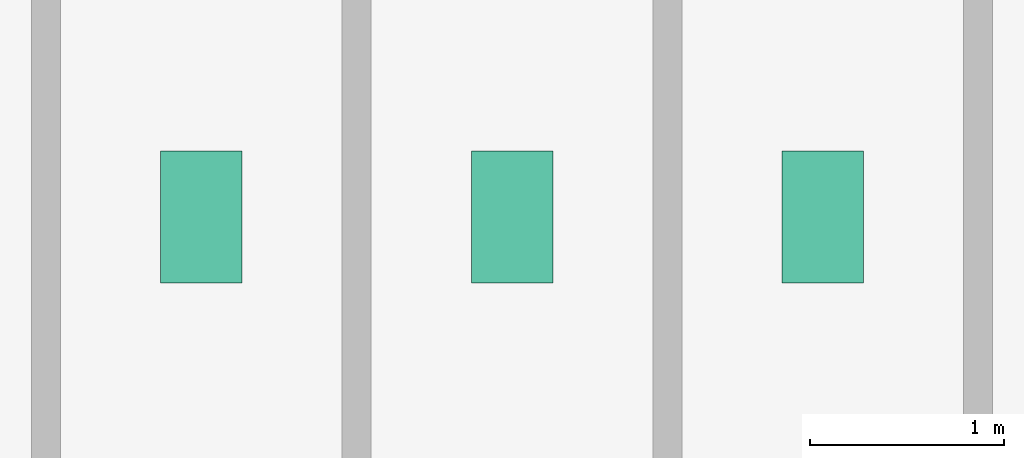
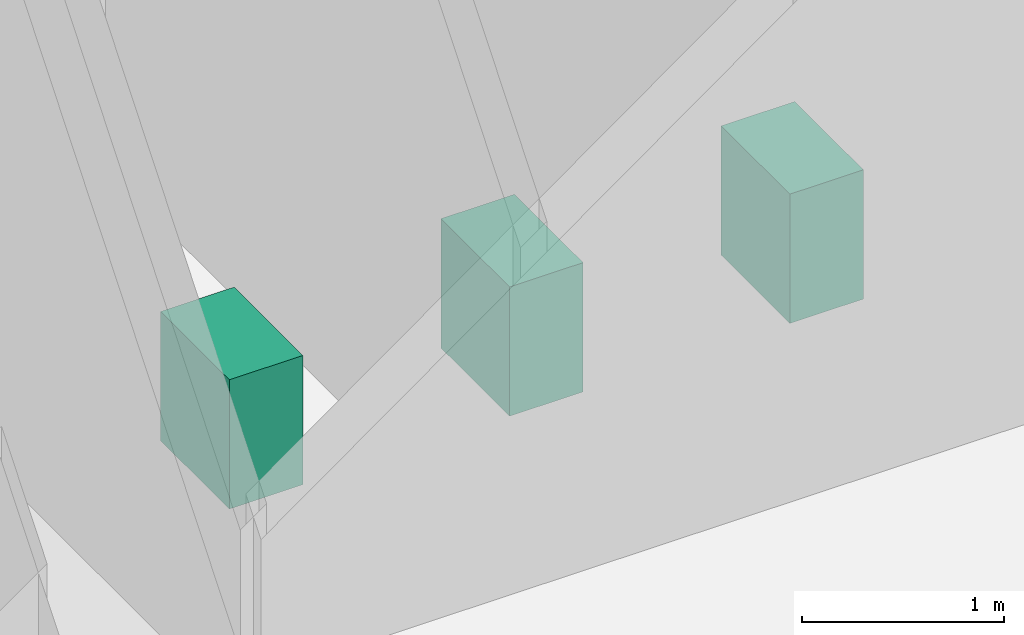
# One storey, part 26 of 26: 3 sanitary terminals.
"""IFC4 building model written with IfcOpenShell, lengths in metres."""

import ifcopenshell
import ifcopenshell.guid

model = None  # the IFC model being written
_history = None  # IfcOwnerHistory: only IFC2X3 demands one
_inside = {}  # id of a spatial element -> (the spatial element, [elements in it])
_under = {}  # id of a project, library or spatial element -> (it, [spatial elements below it])
_declared = {}  # id of a project -> (the project, [libraries it declares])
_typed = {}  # id of a type object -> (the type object, [elements of that type])
_made_of = {}  # id of a material, layer set ... -> (it, [elements and type objects made of it])


def new_model(schema):
    """Start an empty IFC model of exactly this schema.

    Asked for "IFC4X3", IfcOpenShell would pick the latest addendum, in which some entities
    have other attributes; the version numbers below select the first issue.
    IFC2X3 requires an IfcOwnerHistory on every rooted entity: one is made here for all.
    """
    global model, _history
    if schema == "IFC4X3":
        model = ifcopenshell.file(schema_version=(4, 3, 0, 0))
    else:
        model = ifcopenshell.file(schema=schema)
    _inside.clear()
    _under.clear()
    _declared.clear()
    _typed.clear()
    _made_of.clear()
    _history = None
    if model.schema == "IFC2X3":
        org = make("IfcOrganization", Name="unknown")
        user = make(
            "IfcPersonAndOrganization",
            ThePerson=make("IfcPerson", FamilyName="unknown"),
            TheOrganization=org,
        )
        app = make(
            "IfcApplication",
            ApplicationDeveloper=org,
            Version="unknown",
            ApplicationFullName="unknown",
            ApplicationIdentifier="unknown",
        )
        _history = make(
            "IfcOwnerHistory",
            OwningUser=user,
            OwningApplication=app,
            ChangeAction="ADDED",
            CreationDate=0,
        )
    return model


def make(cls, **values):
    """One entity of the class cls with the attributes given. An attribute that is None is left unset."""
    return model.create_entity(
        cls, **{name: value for name, value in values.items() if value is not None}
    )


def rooted(cls, **values):
    """An entity with a GlobalId (a new one), such as an element, a storey or a relation."""
    return make(cls, GlobalId=ifcopenshell.guid.new(), OwnerHistory=_history, **values)


def si_unit(unit_type, name, prefix=None):
    """IfcSIUnit, for example si_unit("LENGTHUNIT", "METRE", prefix="MILLI")."""
    return make("IfcSIUnit", UnitType=unit_type, Prefix=prefix, Name=name)


def derived_unit(unit_type, elements):
    """IfcDerivedUnit: a product of units, each with its exponent."""
    return make(
        "IfcDerivedUnit",
        Elements=[
            make("IfcDerivedUnitElement", Unit=unit, Exponent=power)
            for unit, power in elements
        ],
        UnitType=unit_type,
    )


def assignment(units):
    """IfcUnitAssignment: the units of a project."""
    return None if units is None else make("IfcUnitAssignment", Units=units)


def point(xyz):
    """IfcCartesianPoint."""
    return None if xyz is None else make("IfcCartesianPoint", Coordinates=xyz)


def direction(xyz):
    """IfcDirection."""
    return None if xyz is None else make("IfcDirection", DirectionRatios=xyz)


def frame(location, z_axis=None, x_axis=None):
    """IfcAxis2Placement3D, a coordinate frame: its origin and axes. An axis left out is left unset."""
    return make(
        "IfcAxis2Placement3D",
        Location=point(location),
        Axis=direction(z_axis),
        RefDirection=direction(x_axis),
    )


def frame_2d(location, x_axis=None):
    """IfcAxis2Placement2D, a coordinate frame in the plane: its origin and x axis."""
    return make(
        "IfcAxis2Placement2D", Location=point(location), RefDirection=direction(x_axis)
    )


def origin():
    """The frame at (0, 0, 0) with its axes left unset."""
    return frame((0.0, 0.0, 0.0))


def origin_2d():
    """The frame at (0, 0) in the plane with its x axis left unset."""
    return frame_2d((0.0, 0.0))


def place(relative_to, where):
    """IfcLocalPlacement: puts the frame where relative to a parent placement (None: the world)."""
    return make(
        "IfcLocalPlacement", PlacementRelTo=relative_to, RelativePlacement=where
    )


def context(
    kind, dimensions, precision=None, world=None, true_north=None, identifier=None
):
    """IfcGeometricRepresentationContext, for example the 3D "Model" context."""
    return make(
        "IfcGeometricRepresentationContext",
        ContextIdentifier=identifier,
        ContextType=kind,
        CoordinateSpaceDimension=dimensions,
        Precision=precision,
        WorldCoordinateSystem=world,
        TrueNorth=true_north,
    )


def subcontext(parent, identifier, kind, view, scale=None):
    """IfcGeometricRepresentationSubContext, for example "Body" below "Model"."""
    return make(
        "IfcGeometricRepresentationSubContext",
        ContextIdentifier=identifier,
        ContextType=kind,
        ParentContext=parent,
        TargetScale=scale,
        TargetView=view,
    )


def project(units=None, contexts=None):
    """IfcProject with its units and contexts."""
    return rooted(
        "IfcProject",
        Name="project",
        RepresentationContexts=contexts,
        UnitsInContext=assignment(units),
    )


def spatial(cls, under=None, at=None, **own):
    """A site, building, storey or space (cls), placed at a placement, below another one or the project."""
    s = rooted(cls, ObjectPlacement=at, **own)
    if under is not None:
        _under.setdefault(under.id(), (under, []))[1].append(s)
    return s


def profile(cls, at=None, kind="AREA", **sizes):
    """A parametric profile (cls). Its sizes go by their IFC names, for example OverallWidth=200.0."""
    return make(cls, ProfileType=kind, Position=at, **sizes)


def rectangle(**sizes):
    """IfcRectangleProfileDef."""
    return profile("IfcRectangleProfileDef", **sizes)


def extrude(swept, where, along, depth):
    """IfcExtrudedAreaSolid: the profile swept, set in the frame where, extruded along a direction by depth."""
    return make(
        "IfcExtrudedAreaSolid",
        SweptArea=swept,
        Position=where,
        ExtrudedDirection=direction(along),
        Depth=depth,
    )


def shape(context_of_items, identifier, shape_type, items):
    """IfcShapeRepresentation: the items that make up one representation, for example the "Body"."""
    return make(
        "IfcShapeRepresentation",
        ContextOfItems=context_of_items,
        RepresentationIdentifier=identifier,
        RepresentationType=shape_type,
        Items=items,
    )


def source(mapping_origin, context_of_items, identifier, shape_type, items):
    """IfcRepresentationMap: a shape defined once, which mapped items show again and again."""
    return make(
        "IfcRepresentationMap",
        MappingOrigin=mapping_origin,
        MappedRepresentation=shape(context_of_items, identifier, shape_type, items),
    )


def transform(
    local_origin,
    x_axis=None,
    y_axis=None,
    z_axis=None,
    scale=None,
    scale2=None,
    scale3=None,
    uniform=True,
):
    """IfcCartesianTransformationOperator3D, or its non-uniform kind. x_axis, y_axis, z_axis: its Axis1, 2, 3."""
    if uniform:
        return make(
            "IfcCartesianTransformationOperator3D",
            Axis1=direction(x_axis),
            Axis2=direction(y_axis),
            LocalOrigin=point(local_origin),
            Scale=scale,
            Axis3=direction(z_axis),
        )
    return make(
        "IfcCartesianTransformationOperator3DnonUniform",
        Axis1=direction(x_axis),
        Axis2=direction(y_axis),
        LocalOrigin=point(local_origin),
        Scale=scale,
        Axis3=direction(z_axis),
        Scale2=scale2,
        Scale3=scale3,
    )


def mapped(mapping_source, mapping_target):
    """IfcMappedItem: shows the shape of a source again, moved by a transform."""
    return make(
        "IfcMappedItem", MappingSource=mapping_source, MappingTarget=mapping_target
    )


def material(Name=None, Category=None):
    """IfcMaterial."""
    return make("IfcMaterial", Name=Name, Category=Category)


def made_of(thing, what):
    """Note that an element or type object is made of a material, layer set ...; save() writes the relation."""
    if what is not None:
        _made_of.setdefault(what.id(), (what, []))[1].append(thing)
    return thing


def type_object(cls, material=None, **own):
    """A type object (cls), such as IfcWallType, which elements share."""
    return made_of(rooted(cls, **own), material)


def element(
    cls,
    number,
    at=None,
    inside=None,
    cuts=None,
    type_object=None,
    material=None,
    context=None,
    identifier="Body",
    shape_type=None,
    held_by="IfcProductDefinitionShape",
    body=None,
    shapes=None,
    **own,
):
    """One element of the class cls, such as IfcWall. Its Tag is "e" and its number.

    at: its placement. inside: the storey or other place that contains it. cuts: it is an
    opening in that element (IfcRelVoidsElement). A single representation is given by context,
    identifier, shape_type and body (its items); several are given by shapes. held_by: the class
    of the entity that holds the representations. save() writes the other relations.
    """
    e = rooted(cls, Tag="e%d" % number, ObjectPlacement=at, **own)
    if body is not None:
        shapes = [shape(context, identifier, shape_type, body)]
    if shapes is not None:
        e.Representation = make(held_by, Representations=shapes)
    if inside is not None:
        _inside.setdefault(inside.id(), (inside, []))[1].append(e)
    if cuts is not None:
        rooted(
            "IfcRelVoidsElement", RelatingBuildingElement=cuts, RelatedOpeningElement=e
        )
    if type_object is not None:
        _typed.setdefault(type_object.id(), (type_object, []))[1].append(e)
    return made_of(e, material)


def aggregate(whole, parts):
    """IfcRelAggregates: a whole, such as a stair, and the parts it consists of."""
    return rooted("IfcRelAggregates", RelatingObject=whole, RelatedObjects=parts)


def save(model, path):
    """Write the relations noted so far, then the file.

    IfcRelAggregates (storeys below a building ...), IfcRelContainedInSpatialStructure (elements
    in a storey), IfcRelDefinesByType, IfcRelAssociatesMaterial and IfcRelDeclares: one each for
    every whole, place, type object, material and project.
    """
    for whole, parts in _under.values():
        aggregate(whole, parts)
    for where, things in _inside.values():
        rooted(
            "IfcRelContainedInSpatialStructure",
            RelatedElements=things,
            RelatingStructure=where,
        )
    for kind, things in _typed.values():
        rooted("IfcRelDefinesByType", RelatedObjects=things, RelatingType=kind)
    for what, things in _made_of.values():
        rooted("IfcRelAssociatesMaterial", RelatedObjects=things, RelatingMaterial=what)
    for by, libraries in _declared.values():
        rooted("IfcRelDeclares", RelatingContext=by, RelatedDefinitions=libraries)
    model.write(path)


model = new_model("IFC4")

# Units and contexts
model_context = context("Model", 3, precision=1e-05, world=origin(), true_north=direction((0.0, 1.0)))
body_context = subcontext(model_context, "Body", "Model", "MODEL_VIEW")
ifc_project = project(units=[si_unit("LENGTHUNIT", "METRE"), si_unit("AREAUNIT", "SQUARE_METRE"), si_unit("VOLUMEUNIT", "CUBIC_METRE"), si_unit("PLANEANGLEUNIT", "RADIAN"), si_unit("MASSUNIT", "GRAM", prefix="KILO"), derived_unit("THERMALTRANSMITTANCEUNIT", [(si_unit("POWERUNIT", "WATT"), 1), (si_unit("LENGTHUNIT", "METRE"), -2), (si_unit("THERMODYNAMICTEMPERATUREUNIT", "KELVIN"), -1)])], contexts=[model_context])

# Site, building, storey
site_placement = place(None, origin())
site = spatial("IfcSite", under=ifc_project, at=site_placement, CompositionType="ELEMENT")
building_placement = place(site_placement, origin())
building = spatial("IfcBuilding", under=site, at=building_placement, Name="Skarnbrae Concourse Arena and Tower", CompositionType="ELEMENT")
storey_placement = place(building_placement, frame((0.0, 0.0, 128.800048828125)))
storey = spatial("IfcBuildingStorey", under=building, at=storey_placement, Name="L32", CompositionType="ELEMENT", Elevation=128.800048828125)

# Sanitary terminals
ifc_material = material(Name="Vitreous china sanitaryware", Category="other")
sanitary_terminal_type = type_object("IfcSanitaryTerminalType", Name="SAN-WC-VITREOUS", PredefinedType="TOILETPAN", material=ifc_material)
shared_shape = source(origin(), body_context, "Body", "SweptSolid", [
    extrude(rectangle(XDim=0.419921875, YDim=0.679931640625, at=origin_2d()), origin(), (0.0, 0.0, 1.0), 0.780029296875),
])
for number, where, z_axis, x_axis, name in (
    (1, (35.0, 11.39990234375, 0.0), (0.0, 0.0, 1.0), (1.0, 0.0, 0.0), "L32 Washroom WC fixture 1"),
    (2, (36.60009765625, 11.39990234375, 0.0), (0.0, 0.0, 1.0), (1.0, 0.0, 0.0), "L32 Washroom WC fixture 2"),
    (3, (38.199951171875, 11.39990234375, 0.0), (0.0, 0.0, 1.0), (1.0, 0.0, 0.0), "L32 Washroom WC fixture 3"),
):
    element("IfcSanitaryTerminal", number, at=place(storey_placement, frame(where, z_axis=z_axis, x_axis=x_axis)), inside=storey, type_object=sanitary_terminal_type, Name=name, PredefinedType="TOILETPAN", context=body_context, shape_type="MappedRepresentation", body=[
        mapped(shared_shape, transform((0.0, 0.0, 0.0))),
    ])

save(model, "model.ifc")
